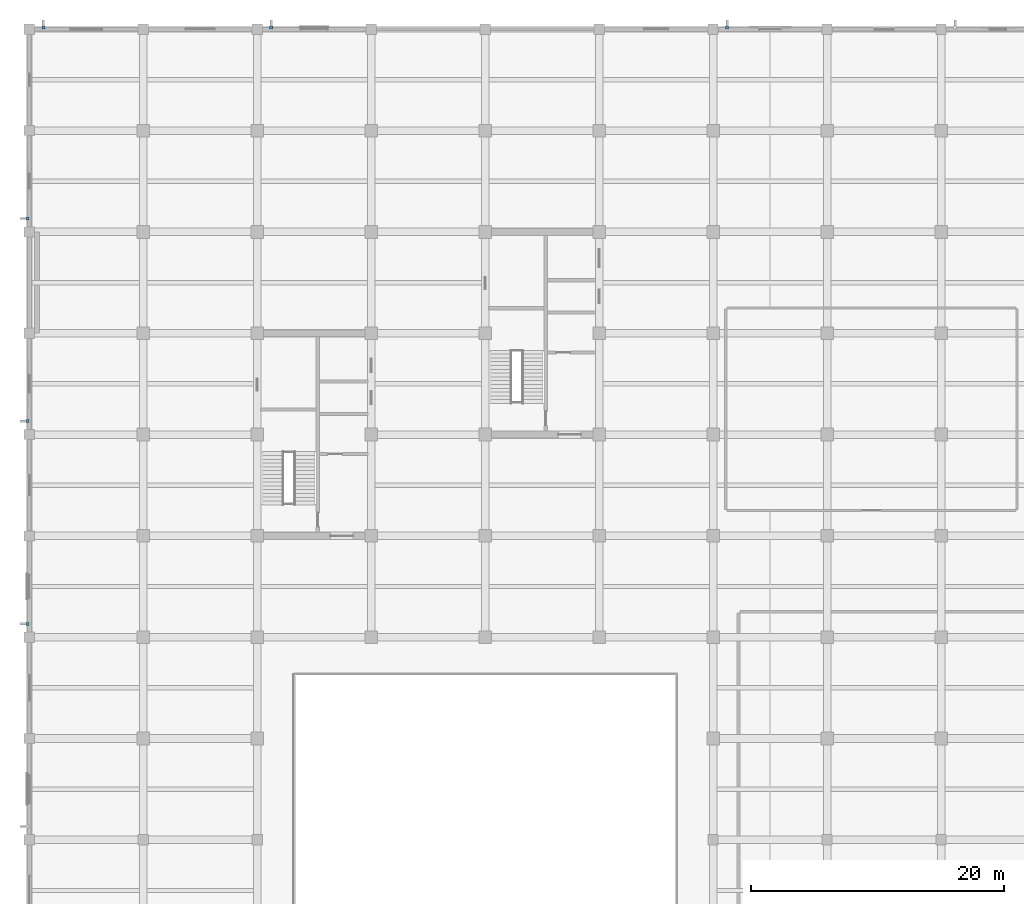
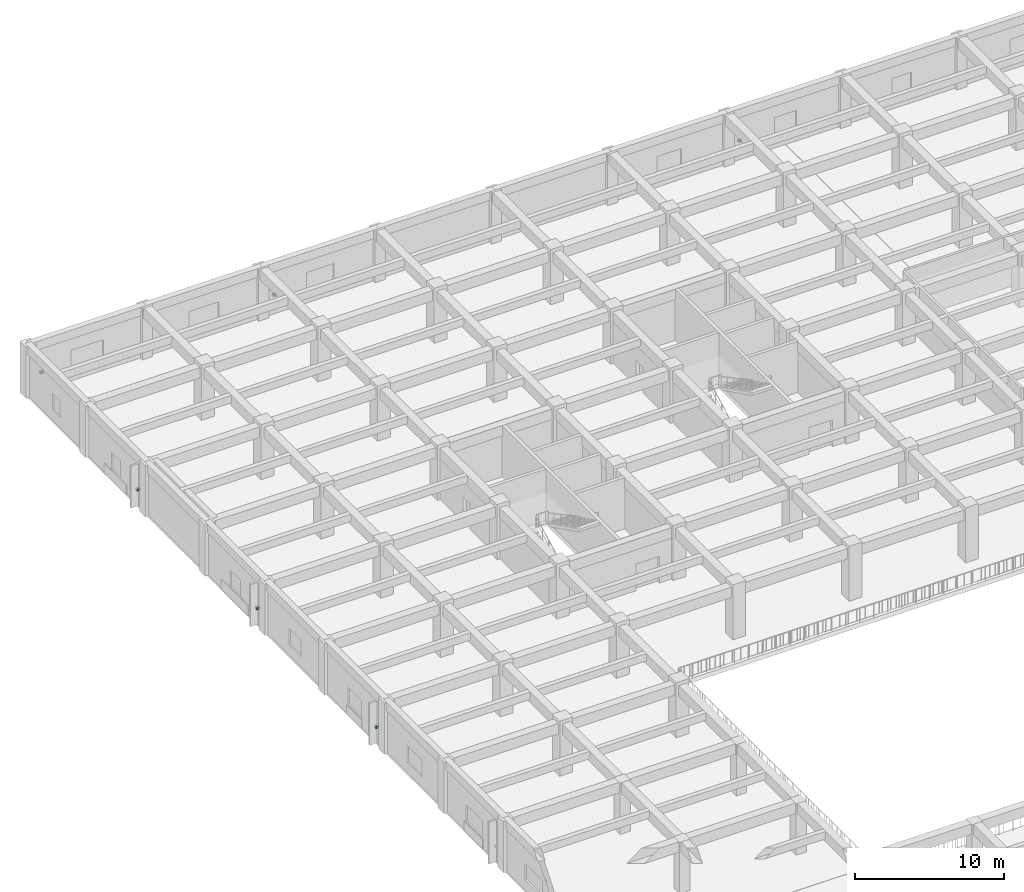
# One storey, part 23 of 32: 6 discrete accessories.
"""IFC4 building model written with IfcOpenShell, lengths in metres."""

from ifc_helpers import new_model, si_unit, direction, frame, origin, origin_2d, place, context, subcontext, project, spatial, rectangle, extrude, material, layer, layer_set, type_object, element, save


model = new_model("IFC4")

# Units and contexts
model_context = context("Model", 3, precision=1e-05, world=origin(), true_north=direction((0.0, 1.0)))
body_context = subcontext(model_context, "Body", "Model", "MODEL_VIEW")
ifc_project = project(units=[si_unit("LENGTHUNIT", "METRE"), si_unit("AREAUNIT", "SQUARE_METRE"), si_unit("VOLUMEUNIT", "CUBIC_METRE"), si_unit("PLANEANGLEUNIT", "RADIAN"), si_unit("MASSUNIT", "GRAM", prefix="KILO")], contexts=[model_context])

# Site, building, storey
site_placement = place(None, origin())
site = spatial("IfcSite", under=ifc_project, at=site_placement, CompositionType="ELEMENT")
building_placement = place(site_placement, origin())
building = spatial("IfcBuilding", under=site, at=building_placement, Name="Zaverband Oceanarium and Marine Research Institute", CompositionType="ELEMENT")
storey_placement = place(building_placement, frame((0.0, 0.0, 13.5)))
storey = spatial("IfcBuildingStorey", under=building, at=storey_placement, Name="L03", CompositionType="ELEMENT", Elevation=13.5)

# Discrete accessories
ifc_material = material(Name="Steel S355", Category="steel")
ifc_layer = layer(ifc_material, 0.179931640625, Name="Steel S355")
ifc_layer_set = layer_set([ifc_layer], Name="Steel S355")
discrete_accessory_type = type_object("IfcDiscreteAccessoryType", Name="BRK-STL-200", PredefinedType="BRACKET", material=ifc_layer_set)
for number, where, z_axis, x_axis, name in (
    (1, (1.10498046875, 120.132568359375, 1.22021484375), (0.0, 0.0, 1.0), (1.0, 0.0, 0.0), "Galvanized steel facade fin structural bracket BRK-STL-200"),
    (2, (19.10498046875, 120.155029296875, 1.22021484375), (0.0, 0.0, 1.0), (1.0, 0.0, 0.0), "Galvanized steel facade fin structural bracket BRK-STL-200"),
    (3, (55.10498046875, 120.155029296875, 1.22021484375), (0.0, 0.0, 1.0), (1.0, 0.0, 0.0), "Galvanized steel facade fin structural bracket BRK-STL-200"),
    (4, (-0.155029296875, 73.054931640625, 1.22021484375), (0.0, 0.0, 1.0), (1.0, 0.0, 0.0), "Galvanized steel facade fin structural bracket BRK-STL-200"),
    (5, (-0.132568359375, 89.054931640625, 1.22021484375), (0.0, 0.0, 1.0), (1.0, 0.0, 0.0), "Galvanized steel facade fin structural bracket BRK-STL-200"),
    (6, (-0.14501953125, 105.054931640625, 1.22021484375), (0.0, 0.0, 1.0), (1.0, 0.0, 0.0), "Galvanized steel facade fin structural bracket BRK-STL-200"),
):
    element("IfcDiscreteAccessory", number, at=place(storey_placement, frame(where, z_axis=z_axis, x_axis=x_axis)), inside=storey, type_object=discrete_accessory_type, Name=name, PredefinedType="BRACKET", context=body_context, shape_type="SweptSolid", body=[
        extrude(rectangle(XDim=0.239990234375, YDim=0.239990234375, at=origin_2d()), origin(), (0.0, 0.0, 1.0), 0.179931640625),
    ])

save(model, "model.ifc")
